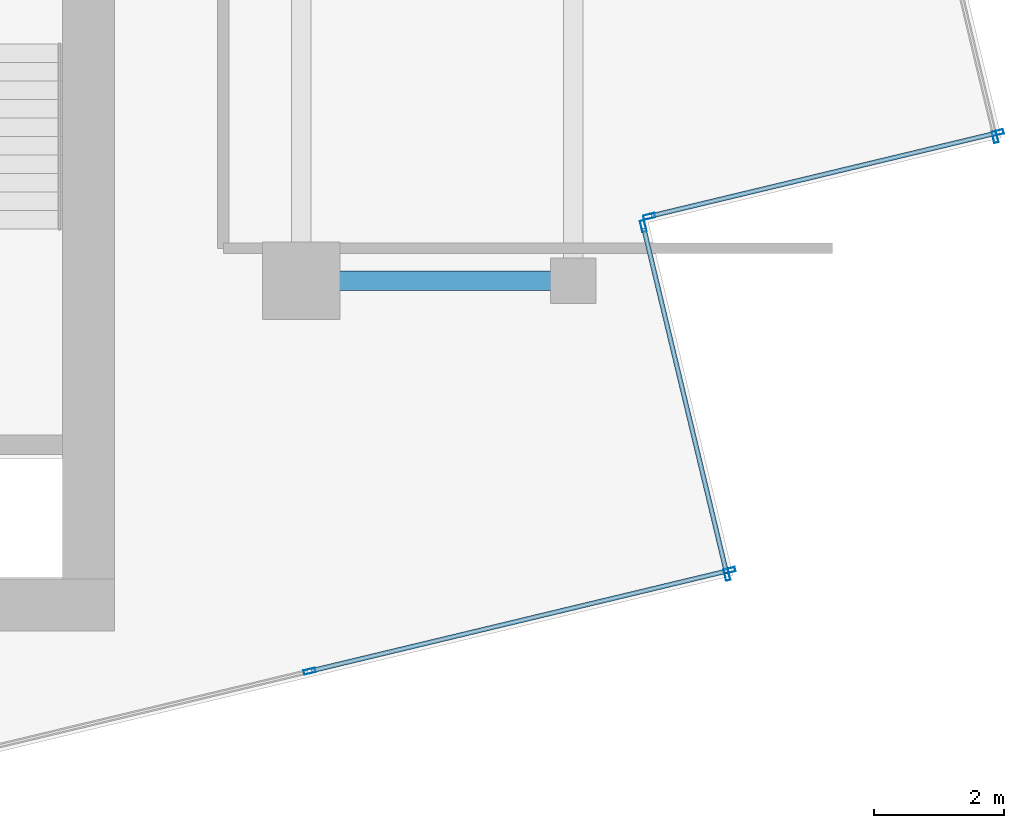
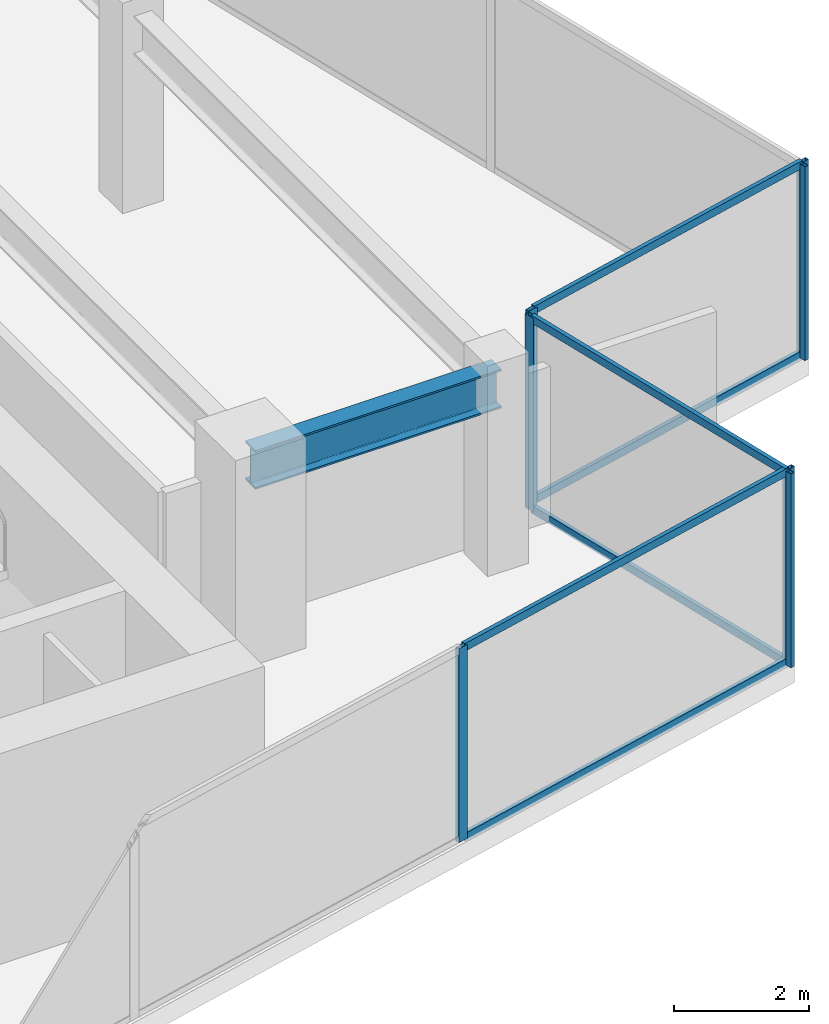
# One storey, part 9 of 19: 13 members, 1 beam, 4 elements without a shape of their own.
"""IFC4 building model written with IfcOpenShell, lengths in metres."""

from ifc_helpers import new_model, si_unit, direction, frame, origin, origin_2d, place, context, subcontext, project, spatial, hollow_rectangle, i_section, extrude, source, transform, mapped, material, material_profile, profile_set, type_object, type_shapes, element, aggregate, save


model = new_model("IFC4")

# Units and contexts
model_context = context("Model", 3, precision=1e-05, world=origin(), true_north=direction((0.0, 1.0)))
body_context = subcontext(model_context, "Body", "Model", "MODEL_VIEW")
ifc_project = project(units=[si_unit("LENGTHUNIT", "METRE"), si_unit("AREAUNIT", "SQUARE_METRE"), si_unit("VOLUMEUNIT", "CUBIC_METRE"), si_unit("PLANEANGLEUNIT", "RADIAN"), si_unit("MASSUNIT", "GRAM", prefix="KILO")], contexts=[model_context])

# Site, building, storey
site_placement = place(None, origin())
site = spatial("IfcSite", under=ifc_project, at=site_placement, CompositionType="ELEMENT")
building_placement = place(site_placement, origin())
building = spatial("IfcBuilding", under=site, at=building_placement, Name="Krantzveldt Concourse Tower", CompositionType="ELEMENT")
storey_placement = place(building_placement, frame((0.0, 0.0, 363.25)))
storey = spatial("IfcBuildingStorey", under=building, at=storey_placement, Name="L89", CompositionType="ELEMENT", Elevation=363.25)

# Beam
ifc_material_1 = material(Name="Steel S355J2", Category="steel")
ifc_material_profile_1 = material_profile(ifc_material_1, i_section(OverallWidth=0.300048828125, OverallDepth=0.699951171875, WebThickness=0.01708984375, FlangeThickness=0.031982421875, FilletRadius=0.027099609375, at=origin_2d()), Name="Steel S355J2", Category="steel")
ifc_profile_set_1 = profile_set([ifc_material_profile_1], Name="Steel S355J2 - HEB 700")
beam_type = type_object("IfcBeamType", Name="BM-B-HEB700", PredefinedType="BEAM", material=ifc_profile_set_1)
shared_shape_1 = source(origin(), body_context, "Body", "SweptSolid", [
    extrude(i_section(OverallWidth=0.300048828125, OverallDepth=0.699951171875, WebThickness=0.01708984375, FlangeThickness=0.031982421875, FilletRadius=0.027099609375, at=origin_2d()), origin(), (0.0, 0.0, 1.0), 4.199951171875),
])
type_shapes(beam_type, [shared_shape_1])
beam_placement = place(storey_placement, frame((46.800048828125, 15.89990234375, 3.14990234375), z_axis=(1.0, 0.0, 0.0), x_axis=(0.0, 1.0, 0.0)))
element("IfcBeam", 1, at=beam_placement, inside=storey, type_object=beam_type, Name="L89 Crown Girder CBG-89-RR1", PredefinedType="BEAM", context=body_context, shape_type="MappedRepresentation", body=[
    mapped(shared_shape_1, transform((0.0, 0.0, 0.0), x_axis=(1.0, 0.0, 0.0), y_axis=(0.0, 1.0, 0.0), z_axis=(0.0, 0.0, 1.0), scale=1.0)),
])

# Curtain wall, members
ifc_material_2 = material(Name="Anodised aluminium 6063-T6", Category="aluminium")
curtain_wall_type = type_object("IfcCurtainWallType", Name="CW7", PredefinedType="USERDEFINED", material=ifc_material_2)
curtain_wall_1_placement = place(storey_placement, origin())
curtain_wall_1 = element("IfcCurtainWall", 2, at=curtain_wall_1_placement, inside=storey, type_object=curtain_wall_type, Name="CW-L89-BASE-07", ObjectType="UNITISED CURTAIN WALL", PredefinedType="USERDEFINED")
ifc_material_profile_2 = material_profile(ifc_material_2, hollow_rectangle(XDim=0.070068359375, YDim=0.139892578125, WallThickness=0.0048828125, at=origin_2d()), Name="Anodised aluminium 6063-T6", Category="aluminium")
ifc_profile_set_2 = profile_set([ifc_material_profile_2], Name="Anodised aluminium 6063-T6 - ALU-TRAN 140x70x5")
member_type_1 = type_object("IfcMemberType", Name="CW-TRN-150", PredefinedType="USERDEFINED", material=ifc_profile_set_2)
shared_shape_2 = source(origin(), body_context, "Body", "SweptSolid", [
    extrude(hollow_rectangle(XDim=0.070068359375, YDim=0.139892578125, WallThickness=0.0048828125, at=origin_2d()), origin(), (0.0, 0.0, 1.0), 6.594970703125),
])
member_1_placement = place(storey_placement, frame((46.96337890625, 9.884765625, 0.034912109375), z_axis=(0.972371170466, 0.233440156887, 0.0), x_axis=(-0.233440156887, 0.972371170466, 0.0)))
member_1 = element("IfcMember", 3, at=member_1_placement, type_object=member_type_1, Name="CW-CRN transom 4.1", ObjectType="TRANSOM", PredefinedType="USERDEFINED", context=body_context, shape_type="MappedRepresentation", body=[
    mapped(shared_shape_2, transform((0.0, 0.0, 0.0), x_axis=(1.0, 0.0, 0.0), y_axis=(0.0, 1.0, 0.0), z_axis=(0.0, 0.0, 1.0), scale=1.0)),
])
member_2_placement = place(storey_placement, frame((46.96337890625, 9.884765625, 3.465087890625), z_axis=(0.972371170466, 0.233440156887, 0.0), x_axis=(-0.233440156887, 0.972371170466, 0.0)))
member_2 = element("IfcMember", 4, at=member_2_placement, type_object=member_type_1, Name="CW-CRN transom 4.2", ObjectType="TRANSOM", PredefinedType="USERDEFINED", context=body_context, shape_type="MappedRepresentation", body=[
    mapped(shared_shape_2, transform((0.0, 0.0, 0.0), x_axis=(1.0, 0.0, 0.0), y_axis=(0.0, 1.0, 0.0), z_axis=(0.0, 0.0, 1.0), scale=1.0)),
])
ifc_material_profile_3 = material_profile(ifc_material_2, hollow_rectangle(XDim=0.070068359375, YDim=0.179931640625, WallThickness=0.0048828125, at=origin_2d()), Name="Anodised aluminium 6063-T6", Category="aluminium")
ifc_profile_set_3 = profile_set([ifc_material_profile_3], Name="Anodised aluminium 6063-T6 - ALU-MULL 180x70x5")
member_type_2 = type_object("IfcMemberType", Name="CW-MUL-180", PredefinedType="MULLION", material=ifc_profile_set_3)
shared_shape_3 = source(origin(), body_context, "Body", "SweptSolid", [
    extrude(hollow_rectangle(XDim=0.070068359375, YDim=0.179931640625, WallThickness=0.0048828125, at=origin_2d()), origin(), (0.0, 0.0, 1.0), 3.5),
])
type_shapes(member_type_2, [shared_shape_3])
member_3_placement = place(storey_placement, frame((46.929443359375, 9.87646484375, 0.0), z_axis=(0.0, 0.0, 1.0), x_axis=(-0.233445461796, 0.972369896884, 0.0)))
member_3 = element("IfcMember", 5, at=member_3_placement, type_object=member_type_2, Name="CW-CRN mullion 4", PredefinedType="MULLION", context=body_context, shape_type="MappedRepresentation", body=[
    mapped(shared_shape_3, transform((0.0, 0.0, 0.0), x_axis=(1.0, 0.0, 0.0), y_axis=(0.0, 1.0, 0.0), z_axis=(0.0, 0.0, 1.0), scale=1.0)),
])
member_4_placement = place(storey_placement, frame((53.41015625, 11.432373046875, 0.0), z_axis=(0.0, 0.0, 1.0), x_axis=(-0.233445461796, 0.972369896884, 0.0)))
member_4 = element("IfcMember", 6, at=member_4_placement, type_object=member_type_2, Name="CW-CRN mullion 5", PredefinedType="MULLION", context=body_context, shape_type="MappedRepresentation", body=[
    mapped(shared_shape_3, transform((0.0, 0.0, 0.0), x_axis=(1.0, 0.0, 0.0), y_axis=(0.0, 1.0, 0.0), z_axis=(0.0, 0.0, 1.0), scale=1.0)),
])
aggregate(curtain_wall_1, [member_3, member_4, member_1, member_2])

curtain_wall_2_placement = place(storey_placement, origin())
curtain_wall_2 = element("IfcCurtainWall", 7, at=curtain_wall_2_placement, inside=storey, type_object=curtain_wall_type, Name="CW-L89-BASE-08", ObjectType="UNITISED CURTAIN WALL", PredefinedType="USERDEFINED")
member_5_placement = place(storey_placement, frame((53.36962890625, 11.3662109375, 0.0), z_axis=(0.0, 0.0, 1.0), x_axis=(-0.972369663588, -0.233446433541, 0.0)))
member_5 = element("IfcMember", 8, at=member_5_placement, type_object=member_type_2, Name="CW-CRN mullion 1", PredefinedType="MULLION", context=body_context, shape_type="MappedRepresentation", body=[
    mapped(shared_shape_3, transform((0.0, 0.0, 0.0), x_axis=(1.0, 0.0, 0.0), y_axis=(0.0, 1.0, 0.0), z_axis=(0.0, 0.0, 1.0), scale=1.0)),
])
member_6_placement = place(storey_placement, frame((52.07861328125, 16.743408203125, 0.0), z_axis=(0.0, 0.0, 1.0), x_axis=(-0.972369663588, -0.233446433541, 0.0)))
member_6 = element("IfcMember", 9, at=member_6_placement, type_object=member_type_2, Name="CW-CRN mullion 2", PredefinedType="MULLION", context=body_context, shape_type="MappedRepresentation", body=[
    mapped(shared_shape_3, transform((0.0, 0.0, 0.0), x_axis=(1.0, 0.0, 0.0), y_axis=(0.0, 1.0, 0.0), z_axis=(0.0, 0.0, 1.0), scale=1.0)),
])

curtain_wall_3_placement = place(storey_placement, origin())
curtain_wall_3 = element("IfcCurtainWall", 10, at=curtain_wall_3_placement, inside=storey, type_object=curtain_wall_type, Name="CW-L89-BASE-09", ObjectType="UNITISED CURTAIN WALL", PredefinedType="USERDEFINED")
member_7_placement = place(storey_placement, frame((52.1708984375, 16.89404296875, 0.0), z_axis=(0.0, 0.0, 1.0), x_axis=(-0.233444339805, 0.97237016625, 0.0)))
member_7 = element("IfcMember", 11, at=member_7_placement, type_object=member_type_2, Name="CW-CRN mullion 1", PredefinedType="MULLION", context=body_context, shape_type="MappedRepresentation", body=[
    mapped(shared_shape_3, transform((0.0, 0.0, 0.0), x_axis=(1.0, 0.0, 0.0), y_axis=(0.0, 1.0, 0.0), z_axis=(0.0, 0.0, 1.0), scale=1.0)),
])
member_8_placement = place(storey_placement, frame((57.548095703125, 18.18505859375, 0.0), z_axis=(0.0, 0.0, 1.0), x_axis=(-0.233444339805, 0.97237016625, 0.0)))
member_8 = element("IfcMember", 12, at=member_8_placement, type_object=member_type_2, Name="CW-CRN mullion 2", PredefinedType="MULLION", context=body_context, shape_type="MappedRepresentation", body=[
    mapped(shared_shape_3, transform((0.0, 0.0, 0.0), x_axis=(1.0, 0.0, 0.0), y_axis=(0.0, 1.0, 0.0), z_axis=(0.0, 0.0, 1.0), scale=1.0)),
])

# Curtain wall, member
curtain_wall_4_placement = place(storey_placement, origin())
curtain_wall_4 = element("IfcCurtainWall", 13, at=curtain_wall_4_placement, inside=storey, type_object=curtain_wall_type, Name="CW-L89-BASE-10", ObjectType="UNITISED CURTAIN WALL", PredefinedType="USERDEFINED")
member_9_placement = place(storey_placement, frame((57.507568359375, 18.11865234375, 0.0), z_axis=(0.0, 0.0, 1.0), x_axis=(-0.972369896884, -0.233445461796, 0.0)))
member_9 = element("IfcMember", 14, at=member_9_placement, type_object=member_type_2, Name="CW-CRN mullion 1", PredefinedType="MULLION", context=body_context, shape_type="MappedRepresentation", body=[
    mapped(shared_shape_3, transform((0.0, 0.0, 0.0), x_axis=(1.0, 0.0, 0.0), y_axis=(0.0, 1.0, 0.0), z_axis=(0.0, 0.0, 1.0), scale=1.0)),
])
aggregate(curtain_wall_4, [member_9])

# Member
shared_shape_4 = source(origin(), body_context, "Body", "SweptSolid", [
    extrude(hollow_rectangle(XDim=0.070068359375, YDim=0.139892578125, WallThickness=0.0048828125, at=origin_2d()), origin(), (0.0, 0.0, 1.0), 5.4599609375),
])
type_shapes(member_type_1, [shared_shape_2, shared_shape_4])
member_10_placement = place(storey_placement, frame((53.361328125, 11.400146484375, 0.034912109375), z_axis=(-0.233455819396, 0.972367410185, 0.0), x_axis=(-0.972367410185, -0.233455819396, 0.0)))
member_10 = element("IfcMember", 15, at=member_10_placement, type_object=member_type_1, Name="CW-CRN transom 1.1", ObjectType="TRANSOM", PredefinedType="USERDEFINED", context=body_context, shape_type="MappedRepresentation", body=[
    mapped(shared_shape_4, transform((0.0, 0.0, 0.0), x_axis=(1.0, 0.0, 0.0), y_axis=(0.0, 1.0, 0.0), z_axis=(0.0, 0.0, 1.0), scale=1.0)),
])

member_11_placement = place(storey_placement, frame((53.361328125, 11.400146484375, 3.465087890625), z_axis=(-0.233455819396, 0.972367410185, 0.0), x_axis=(-0.972367410185, -0.233455819396, 0.0)))
member_11 = element("IfcMember", 16, at=member_11_placement, type_object=member_type_1, Name="CW-CRN transom 1.2", ObjectType="TRANSOM", PredefinedType="USERDEFINED", context=body_context, shape_type="MappedRepresentation", body=[
    mapped(shared_shape_4, transform((0.0, 0.0, 0.0), x_axis=(1.0, 0.0, 0.0), y_axis=(0.0, 1.0, 0.0), z_axis=(0.0, 0.0, 1.0), scale=1.0)),
])

aggregate(curtain_wall_2, [member_5, member_6, member_10, member_11])

member_12_placement = place(storey_placement, frame((52.205078125, 16.90234375, 0.034912109375), z_axis=(0.972377559841, 0.23341354099, 0.0), x_axis=(-0.23341354099, 0.972377559841, 0.0)))
member_12 = element("IfcMember", 17, at=member_12_placement, type_object=member_type_1, Name="CW-CRN transom 1.1", ObjectType="TRANSOM", PredefinedType="USERDEFINED", context=body_context, shape_type="MappedRepresentation", body=[
    mapped(shared_shape_4, transform((0.0, 0.0, 0.0), x_axis=(1.0, 0.0, 0.0), y_axis=(0.0, 1.0, 0.0), z_axis=(0.0, 0.0, 1.0), scale=1.0)),
])

member_13_placement = place(storey_placement, frame((52.205078125, 16.90234375, 3.465087890625), z_axis=(0.972377559841, 0.23341354099, 0.0), x_axis=(-0.23341354099, 0.972377559841, 0.0)))
member_13 = element("IfcMember", 18, at=member_13_placement, type_object=member_type_1, Name="CW-CRN transom 1.2", ObjectType="TRANSOM", PredefinedType="USERDEFINED", context=body_context, shape_type="MappedRepresentation", body=[
    mapped(shared_shape_4, transform((0.0, 0.0, 0.0), x_axis=(1.0, 0.0, 0.0), y_axis=(0.0, 1.0, 0.0), z_axis=(0.0, 0.0, 1.0), scale=1.0)),
])

aggregate(curtain_wall_3, [member_7, member_8, member_12, member_13])

save(model, "model.ifc")
